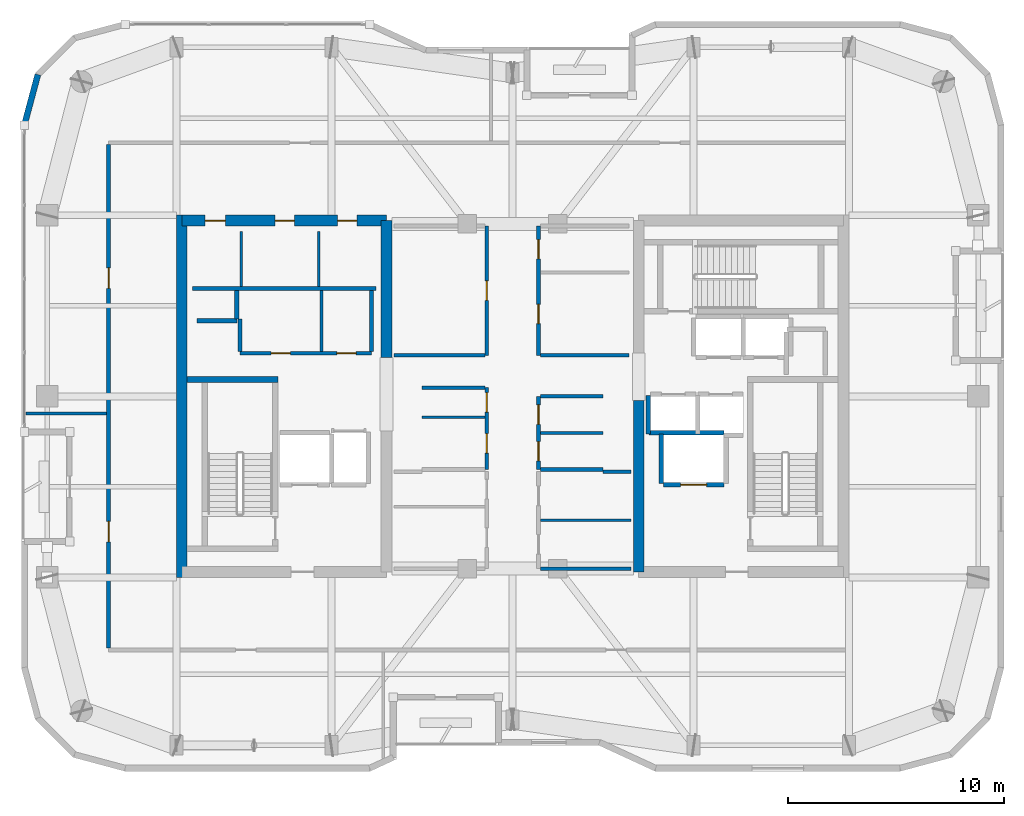
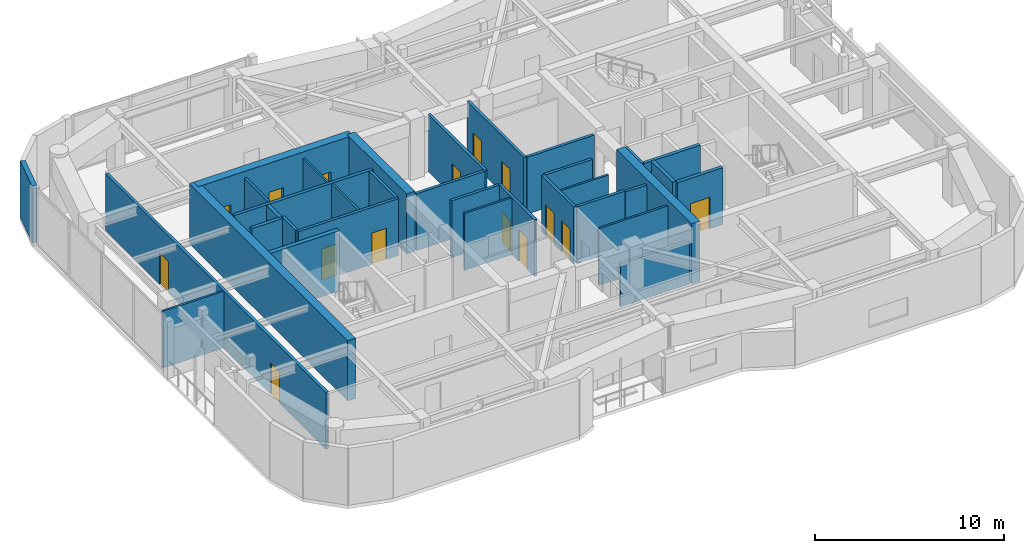
# One storey, part 11 of 15: 35 walls, 15 doors, 15 openings.
"""IFC4 building model written with IfcOpenShell, lengths in metres."""

from ifc_helpers import new_model, si_unit, direction, frame, frame_2d, origin, place, context, subcontext, project, spatial, rectangle, extrude, material, layer, layer_set, type_object, element, fill, save


model = new_model("IFC4")

# Units and contexts
model_context = context("Model", 3, precision=1e-05, world=origin(), true_north=direction((0.0, 1.0)))
body_context = subcontext(model_context, "Body", "Model", "MODEL_VIEW")
ifc_project = project(units=[si_unit("LENGTHUNIT", "METRE"), si_unit("AREAUNIT", "SQUARE_METRE"), si_unit("VOLUMEUNIT", "CUBIC_METRE"), si_unit("PLANEANGLEUNIT", "RADIAN"), si_unit("MASSUNIT", "GRAM", prefix="KILO")], contexts=[model_context])

# Site, building, storey
site_placement = place(None, origin())
site = spatial("IfcSite", under=ifc_project, at=site_placement, CompositionType="ELEMENT")
building_placement = place(site_placement, origin())
building = spatial("IfcBuilding", under=site, at=building_placement, Name="Kiyonajd Concourse Tower", CompositionType="ELEMENT")
storey_placement = place(building_placement, frame((0.0, 0.0, 290.10009765625)))
storey = spatial("IfcBuildingStorey", under=building, at=storey_placement, Name="L73", CompositionType="ELEMENT", Elevation=290.10009765625)

# Walls
ifc_material_1 = material(Name="Concrete C60/75", Category="concrete")
ifc_layer_1 = layer(ifc_material_1, 0.5)
ifc_layer_set_1 = layer_set([ifc_layer_1], Name="Concrete C60/75")
wall_type_1 = type_object("IfcWallType", Name="WL-CORE-500", PredefinedType="SHEAR", material=ifc_layer_set_1)
wall_1_placement = place(storey_placement, frame((32.64990234375, 27.60009765625, 0.0), z_axis=(0.0, 0.0, 1.0), x_axis=(0.0, 1.0, 0.0)))
element("IfcWall", 1, at=wall_1_placement, inside=storey, type_object=wall_type_1, Name="L73 West Core Outer Shear Wall", PredefinedType="SHEAR", context=body_context, shape_type="SweptSolid", body=[
    extrude(rectangle(XDim=16.7998046875, YDim=0.5, at=frame_2d((8.39990234375, 0.0))), origin(), (0.0, 0.0, 1.0), 3.89990234375),
])
wall_2_placement = place(storey_placement, frame((42.14990234375, 37.800048828125, 0.0), z_axis=(0.0, 0.0, 1.0), x_axis=(0.0, 1.0, 0.0)))
element("IfcWall", 2, at=wall_2_placement, inside=storey, type_object=wall_type_1, Name="L73 West Core Inner North Shear Wall", PredefinedType="SHEAR", context=body_context, shape_type="SweptSolid", body=[
    extrude(rectangle(XDim=6.349853515625, YDim=0.5, at=frame_2d((3.1748046875, 0.0))), origin(), (0.0, 0.0, 1.0), 3.89990234375),
])

# Wall, openings, doors
wall_3_placement = place(storey_placement, frame((32.64990234375, 44.14990234375, 0.0), z_axis=(0.0, 0.0, 1.0), x_axis=(1.0, 0.0, 0.0)))
wall_3 = element("IfcWall", 3, at=wall_3_placement, inside=storey, type_object=wall_type_1, Name="L73 West Core North Shear Wall", PredefinedType="SHEAR", context=body_context, shape_type="SweptSolid", body=[
    extrude(rectangle(XDim=9.5, YDim=0.5, at=frame_2d((4.75, 0.0))), origin(), (0.0, 0.0, 1.0), 3.89990234375),
])
opening_1_placement = place(wall_3_placement, frame((1.074951171875, 0.0, 0.0)))
opening_1 = element("IfcOpeningElement", 4, at=opening_1_placement, cuts=wall_3, Name="Opening DI1", PredefinedType="OPENING", context=body_context, shape_type="SweptSolid", body=[
    extrude(rectangle(XDim=0.949951171875, YDim=2.0400390625, at=frame_2d((0.47509765625, 1.02001953125))), frame((0.0, 0.260009765625, 0.0), z_axis=(0.0, -1.0, 0.0), x_axis=(1.0, 0.0, 0.0)), (0.0, 0.0, 1.0), 0.52001953125),
])
opening_2_placement = place(wall_3_placement, frame((4.324951171875, 0.0, 0.0)))
opening_2 = element("IfcOpeningElement", 5, at=opening_2_placement, cuts=wall_3, Name="Opening DI2", PredefinedType="OPENING", context=body_context, shape_type="SweptSolid", body=[
    extrude(rectangle(XDim=0.89990234375, YDim=2.02001953125, at=frame_2d((0.449951171875, 1.010009765625))), frame((0.0, 0.260009765625, 0.0), z_axis=(0.0, -1.0, 0.0), x_axis=(1.0, 0.0, 0.0)), (0.0, 0.0, 1.0), 0.52001953125),
])
opening_3_placement = place(wall_3_placement, frame((7.22509765625, 0.0, 0.0)))
opening_3 = element("IfcOpeningElement", 6, at=opening_3_placement, cuts=wall_3, Name="Opening DI2", PredefinedType="OPENING", context=body_context, shape_type="SweptSolid", body=[
    extrude(rectangle(XDim=0.89990234375, YDim=2.02001953125, at=frame_2d((0.449951171875, 1.010009765625))), frame((0.0, 0.260009765625, 0.0), z_axis=(0.0, -1.0, 0.0), x_axis=(1.0, 0.0, 0.0)), (0.0, 0.0, 1.0), 0.52001953125),
])
ifc_material_2 = material(Name="Natural Oak Acoustic Timber Veneer", Category="wood")
door_type_1 = type_object("IfcDoorType", Name="DR-INT-900", OperationType="NOTDEFINED", PredefinedType="DOOR", material=ifc_material_2)
door_1_placement = place(opening_2_placement, origin())
door_1 = element("IfcDoor", 7, at=door_1_placement, inside=storey, type_object=door_type_1, Name="L73 Male Restroom Door", OperationType="SINGLE_SWING_RIGHT", OverallHeight=2.02001953125, OverallWidth=0.89990234375, PredefinedType="DOOR", context=body_context, shape_type="SweptSolid", body=[
    extrude(rectangle(XDim=0.89990234375, YDim=2.02001953125, at=frame_2d((0.449951171875, 1.010009765625))), frame((0.0, 0.02490234375, 0.0), z_axis=(0.0, -1.0, 0.0), x_axis=(1.0, 0.0, 0.0)), (0.0, 0.0, 1.0), 0.050048828125),
])
fill(opening_2, door_1)
door_2_placement = place(opening_3_placement, origin())
door_2 = element("IfcDoor", 8, at=door_2_placement, inside=storey, type_object=door_type_1, Name="L73 Female Restroom Door", OperationType="SINGLE_SWING_LEFT", OverallHeight=2.02001953125, OverallWidth=0.89990234375, PredefinedType="DOOR", context=body_context, shape_type="SweptSolid", body=[
    extrude(rectangle(XDim=0.89990234375, YDim=2.02001953125, at=frame_2d((0.449951171875, 1.010009765625))), frame((0.0, 0.02490234375, 0.0), z_axis=(0.0, -1.0, 0.0), x_axis=(1.0, 0.0, 0.0)), (0.0, 0.0, 1.0), 0.050048828125),
])
fill(opening_3, door_2)
door_type_2 = type_object("IfcDoorType", Name="DR-INT-950", OperationType="NOTDEFINED", PredefinedType="DOOR", material=ifc_material_2)
door_3_placement = place(opening_1_placement, origin())
door_3 = element("IfcDoor", 9, at=door_3_placement, inside=storey, type_object=door_type_2, Name="L73 Single User Accessible WC Door", OperationType="SINGLE_SWING_LEFT", OverallHeight=2.0400390625, OverallWidth=0.949951171875, PredefinedType="DOOR", context=body_context, shape_type="SweptSolid", body=[
    extrude(rectangle(XDim=0.949951171875, YDim=2.0400390625, at=frame_2d((0.47509765625, 1.02001953125))), frame((0.0, 0.02490234375, 0.0), z_axis=(0.0, -1.0, 0.0), x_axis=(1.0, 0.0, 0.0)), (0.0, 0.0, 1.0), 0.050048828125),
])
fill(opening_1, door_3)

# Walls
wall_4_placement = place(storey_placement, frame((53.85009765625, 27.85009765625, 0.0), z_axis=(0.0, 0.0, 1.0), x_axis=(0.0, 1.0, 0.0)))
element("IfcWall", 10, at=wall_4_placement, inside=storey, type_object=wall_type_1, Name="L73 East Core Inner South Shear Wall", PredefinedType="SHEAR", context=body_context, shape_type="SweptSolid", body=[
    extrude(rectangle(XDim=7.949951171875, YDim=0.5, at=frame_2d((3.97509765625, 0.0))), origin(), (0.0, 0.0, 1.0), 3.89990234375),
])
ifc_material_3 = material(Name="Precast concrete C50/60", Category="concrete")
ifc_layer_2 = layer(ifc_material_3, 0.280029296875)
ifc_layer_set_2 = layer_set([ifc_layer_2], Name="Precast concrete C50/60")
wall_type_2 = type_object("IfcWallType", Name="WL-EXT-280", PredefinedType="SOLIDWALL", material=ifc_layer_set_2)
wall_5_placement = place(storey_placement, frame((25.340087890625, 48.58154296875, 0.0), z_axis=(0.0, 0.0, 1.0), x_axis=(0.258751159445, 0.965944013639, 0.0)))
element("IfcWall", 11, at=wall_5_placement, inside=storey, type_object=wall_type_2, Name="L73 Exterior Concrete Frame Wall 06", PredefinedType="SOLIDWALL", context=body_context, shape_type="SweptSolid", body=[
    extrude(rectangle(XDim=2.4287109375, YDim=0.280029296875, at=frame_2d((1.21435546875, 0.0))), origin(), (0.0, 0.0, 1.0), 3.679931640625),
])
ifc_material_4 = material(Name="Gypsum Board on Cold-Formed Steel Stud", Category="steel")
ifc_layer_3 = layer(ifc_material_4, 0.125)
ifc_layer_set_3 = layer_set([ifc_layer_3], Name="Gypsum Board on Cold-Formed Steel Stud")
wall_type_3 = type_object("IfcWallType", Name="WL-PART-125", PredefinedType="PARTITIONING", material=ifc_layer_set_3)
for number, where, z_axis, x_axis, name in (
    (12, (35.39990234375, 41.094970703125, 0.0), (0.0, 0.0, 1.0), (0.0, 1.0, 0.0), "L73 Interior Partition Wall"),
    (13, (39.0, 41.094970703125, 0.0), (0.0, 0.0, 1.0), (0.0, 1.0, 0.0), "L73 Interior Partition Wall"),
):
    element("IfcWall", number, at=place(storey_placement, frame(where, z_axis=z_axis, x_axis=x_axis)), inside=storey, type_object=wall_type_3, Name=name, PredefinedType="PARTITIONING", context=body_context, shape_type="SweptSolid", body=[
        extrude(rectangle(XDim=2.554931640625, YDim=0.125, at=frame_2d((1.27734375, 0.0))), origin(), (0.0, 0.0, 1.0), 3.679931640625),
    ])
wall_6_placement = place(storey_placement, frame((39.132080078125, 38.0869140625, 0.0), z_axis=(0.0, 0.0, 1.0), x_axis=(0.0, 1.0, 0.0)))
element("IfcWall", 14, at=wall_6_placement, inside=storey, type_object=wall_type_3, Name="L73 Interior Partition Wall", PredefinedType="PARTITIONING", context=body_context, shape_type="SweptSolid", body=[
    extrude(rectangle(XDim=2.81298828125, YDim=0.125, at=frame_2d((1.406494140625, 0.0))), origin(), (0.0, 0.0, 1.0), 3.679931640625),
])
for number, where, z_axis, x_axis, name in (
    (15, (43.800048828125, 35.031982421875, 0.0), (0.0, 0.0, 1.0), (1.0, 0.0, 0.0), "L73 Interior Partition Wall"),
    (16, (49.287109375, 34.300048828125, 0.0), (0.0, 0.0, 1.0), (1.0, 0.0, 0.0), "L73 Interior Partition Wall"),
):
    element("IfcWall", number, at=place(storey_placement, frame(where, z_axis=z_axis, x_axis=x_axis)), inside=storey, type_object=wall_type_3, Name=name, PredefinedType="PARTITIONING", context=body_context, shape_type="SweptSolid", body=[
        extrude(rectangle(XDim=2.912841796875, YDim=0.125, at=frame_2d((1.45654296875, 0.0))), origin(), (0.0, 0.0, 1.0), 3.679931640625),
    ])
wall_7_placement = place(storey_placement, frame((49.287109375, 30.25, 0.0), z_axis=(0.0, 0.0, 1.0), x_axis=(1.0, 0.0, 0.0)))
element("IfcWall", 17, at=wall_7_placement, inside=storey, type_object=wall_type_3, Name="L73 Interior Partition Wall", PredefinedType="PARTITIONING", context=body_context, shape_type="SweptSolid", body=[
    extrude(rectangle(XDim=4.212890625, YDim=0.125, at=frame_2d((2.1064453125, 0.0))), origin(), (0.0, 0.0, 1.0), 3.679931640625),
])
wall_8_placement = place(storey_placement, frame((25.425048828125, 35.199951171875, 0.0), z_axis=(0.0, 0.0, 1.0), x_axis=(1.0, 0.0, 0.0)))
element("IfcWall", 18, at=wall_8_placement, inside=storey, type_object=wall_type_3, Name="L73 Interior Partition Wall", PredefinedType="PARTITIONING", context=body_context, shape_type="SweptSolid", body=[
    extrude(rectangle(XDim=3.738037109375, YDim=0.125, at=frame_2d((1.869140625, 0.0))), origin(), (0.0, 0.0, 1.0), 3.679931640625),
])
ifc_layer_4 = layer(ifc_material_4, 0.18994140625)
ifc_layer_set_4 = layer_set([ifc_layer_4], Name="Gypsum Board on Cold-Formed Steel Stud")
wall_type_4 = type_object("IfcWallType", Name="WL-PLMB-190", PredefinedType="PLUMBINGWALL", material=ifc_layer_set_4)
wall_9_placement = place(storey_placement, frame((33.14990234375, 41.0, 0.0), z_axis=(0.0, 0.0, 1.0), x_axis=(1.0, 0.0, 0.0)))
element("IfcWall", 19, at=wall_9_placement, inside=storey, type_object=wall_type_4, Name="L73 Interior Partition Wall", PredefinedType="PLUMBINGWALL", context=body_context, shape_type="SweptSolid", body=[
    extrude(rectangle(XDim=8.5, YDim=0.18994140625, at=frame_2d((4.25, 0.0))), origin(), (0.0, 0.0, 1.0), 3.679931640625),
])
ifc_layer_5 = layer(ifc_material_4, 0.2099609375)
ifc_layer_set_5 = layer_set([ifc_layer_5], Name="Gypsum Board on Cold-Formed Steel Stud")
wall_type_5 = type_object("IfcWallType", Name="WL-SHAFT-210", PredefinedType="PARTITIONING", material=ifc_layer_set_5)
wall_10_placement = place(storey_placement, frame((33.360107421875, 39.5, 0.0), z_axis=(0.0, 0.0, 1.0), x_axis=(1.0, 0.0, 0.0)))
element("IfcWall", 20, at=wall_10_placement, inside=storey, type_object=wall_type_5, Name="L73 Shaft Enclosure Wall", PredefinedType="PARTITIONING", context=body_context, shape_type="SweptSolid", body=[
    extrude(rectangle(XDim=1.85986328125, YDim=0.2099609375, at=frame_2d((0.929931640625, 0.0))), origin(), (0.0, 0.0, 1.0), 3.679931640625),
])
wall_11_placement = place(storey_placement, frame((35.199951171875, 39.580078125, 0.0), z_axis=(0.0, 0.0, 1.0), x_axis=(0.0, 1.0, 0.0)))
element("IfcWall", 21, at=wall_11_placement, inside=storey, type_object=wall_type_5, Name="L73 Shaft Enclosure Wall", PredefinedType="PARTITIONING", context=body_context, shape_type="SweptSolid", body=[
    extrude(rectangle(XDim=1.31982421875, YDim=0.2099609375, at=frame_2d((0.659912109375, 0.0))), origin(), (0.0, 0.0, 1.0), 3.679931640625),
])

# Wall, opening, door
wall_12_placement = place(storey_placement, frame((55.0, 31.89990234375, 0.0), z_axis=(0.0, 0.0, 1.0), x_axis=(1.0, 0.0, 0.0)))
wall_12 = element("IfcWall", 22, at=wall_12_placement, inside=storey, type_object=wall_type_5, Name="L73 Shaft Enclosure Wall", PredefinedType="PARTITIONING", context=body_context, shape_type="SweptSolid", body=[
    extrude(rectangle(XDim=2.800048828125, YDim=0.2099609375, at=frame_2d((1.39990234375, 0.0))), origin(), (0.0, 0.0, 1.0), 3.679931640625),
])
opening_4_placement = place(wall_12_placement, frame((0.800048828125, 0.0, 0.0)))
opening_4 = element("IfcOpeningElement", 23, at=opening_4_placement, cuts=wall_12, Name="Opening LD2", PredefinedType="OPENING", context=body_context, shape_type="SweptSolid", body=[
    extrude(rectangle(XDim=1.199951171875, YDim=2.0400390625, at=frame_2d((0.60009765625, 1.02001953125))), frame((0.0, 0.114990234375, 0.0), z_axis=(0.0, -1.0, 0.0), x_axis=(1.0, 0.0, 0.0)), (0.0, 0.0, 1.0), 0.22998046875),
])
ifc_material_5 = material(Name="Brushed Stainless Steel Cab Assembly", Category="steel")
door_type_3 = type_object("IfcDoorType", Name="DR-LD-1200", OperationType="DOUBLE_DOOR_SLIDING", PredefinedType="DOOR", material=ifc_material_5)
door_4_placement = place(opening_4_placement, origin())
door_4 = element("IfcDoor", 24, at=door_4_placement, inside=storey, type_object=door_type_3, Name="L73 Lift FFL2 Sliding Landing Door", OperationType="DOUBLE_DOOR_SLIDING", OverallHeight=2.0400390625, OverallWidth=1.199951171875, PredefinedType="DOOR", context=body_context, shape_type="SweptSolid", body=[
    extrude(rectangle(XDim=1.199951171875, YDim=2.0400390625, at=frame_2d((0.60009765625, 1.02001953125))), frame((0.0, 0.02490234375, 0.0), z_axis=(0.0, -1.0, 0.0), x_axis=(1.0, 0.0, 0.0)), (0.0, 0.0, 1.0), 0.050048828125),
])
fill(opening_4, door_4)

# Walls
wall_13_placement = place(storey_placement, frame((54.320068359375, 34.300048828125, 0.0), z_axis=(0.0, 0.0, 1.0), x_axis=(1.0, 0.0, 0.0)))
element("IfcWall", 25, at=wall_13_placement, inside=storey, type_object=wall_type_5, Name="L73 Shaft Enclosure Wall", PredefinedType="PARTITIONING", context=body_context, shape_type="SweptSolid", body=[
    extrude(rectangle(XDim=3.47998046875, YDim=0.2099609375, at=frame_2d((1.739990234375, 0.0))), origin(), (0.0, 0.0, 1.0), 3.679931640625),
])
wall_14_placement = place(storey_placement, frame((54.89990234375, 31.9599609375, 0.0), z_axis=(0.0, 0.0, 1.0), x_axis=(0.0, 1.0, 0.0)))
element("IfcWall", 26, at=wall_14_placement, inside=storey, type_object=wall_type_5, Name="L73 Shaft Enclosure Wall", PredefinedType="PARTITIONING", context=body_context, shape_type="SweptSolid", body=[
    extrude(rectangle(XDim=2.280029296875, YDim=0.2099609375, at=frame_2d((1.14013671875, 0.0))), origin(), (0.0, 0.0, 1.0), 3.679931640625),
])
wall_15_placement = place(storey_placement, frame((54.300048828125, 34.260009765625, 0.0), z_axis=(0.0, 0.0, 1.0), x_axis=(0.0, 1.0, 0.0)))
element("IfcWall", 27, at=wall_15_placement, inside=storey, type_object=wall_type_5, Name="L73 Shaft Enclosure Wall", PredefinedType="PARTITIONING", context=body_context, shape_type="SweptSolid", body=[
    extrude(rectangle(XDim=1.780029296875, YDim=0.2099609375, at=frame_2d((0.89013671875, 0.0))), origin(), (0.0, 0.0, 1.0), 3.679931640625),
])

# Wall, openings, doors
ifc_layer_6 = layer(ifc_material_4, 0.169921875)
ifc_layer_set_6 = layer_set([ifc_layer_6], Name="Gypsum Board on Cold-Formed Steel Stud")
wall_type_6 = type_object("IfcWallType", Name="WL-SMK-170", PredefinedType="PARTITIONING", material=ifc_layer_set_6)
wall_16_placement = place(storey_placement, frame((35.35009765625, 38.0, 0.0), z_axis=(0.0, 0.0, 1.0), x_axis=(1.0, 0.0, 0.0)))
wall_16 = element("IfcWall", 28, at=wall_16_placement, inside=storey, type_object=wall_type_6, Name="L73 Interior Partition Wall", PredefinedType="PARTITIONING", context=body_context, shape_type="SweptSolid", body=[
    extrude(rectangle(XDim=6.099853515625, YDim=0.169921875, at=frame_2d((3.0498046875, 0.0))), origin(), (0.0, 0.0, 1.0), 3.679931640625),
])
opening_5_placement = place(wall_16_placement, frame((1.44091796875, 0.0, 0.0)))
opening_5 = element("IfcOpeningElement", 29, at=opening_5_placement, cuts=wall_16, Name="Opening DF4", PredefinedType="OPENING", context=body_context, shape_type="SweptSolid", body=[
    extrude(rectangle(XDim=0.89990234375, YDim=2.02001953125, at=frame_2d((0.449951171875, 1.010009765625))), frame((0.0, 0.094970703125, 0.0), z_axis=(0.0, -1.0, 0.0), x_axis=(1.0, 0.0, 0.0)), (0.0, 0.0, 1.0), 0.18994140625),
])
opening_6_placement = place(wall_16_placement, frame((4.490966796875, 0.0, 0.0)))
opening_6 = element("IfcOpeningElement", 30, at=opening_6_placement, cuts=wall_16, Name="Opening DF4", PredefinedType="OPENING", context=body_context, shape_type="SweptSolid", body=[
    extrude(rectangle(XDim=0.89990234375, YDim=2.02001953125, at=frame_2d((0.449951171875, 1.010009765625))), frame((0.0, 0.094970703125, 0.0), z_axis=(0.0, -1.0, 0.0), x_axis=(1.0, 0.0, 0.0)), (0.0, 0.0, 1.0), 0.18994140625),
])
door_type_4 = type_object("IfcDoorType", Name="DR-FD60-900", OperationType="NOTDEFINED", PredefinedType="DOOR", material=ifc_material_5)
door_5_placement = place(opening_5_placement, origin())
door_5 = element("IfcDoor", 31, at=door_5_placement, inside=storey, type_object=door_type_4, Name="L73 Interior Door", OperationType="SINGLE_SWING_RIGHT", OverallHeight=2.02001953125, OverallWidth=0.89990234375, PredefinedType="DOOR", context=body_context, shape_type="SweptSolid", body=[
    extrude(rectangle(XDim=0.89990234375, YDim=2.02001953125, at=frame_2d((0.449951171875, 1.010009765625))), frame((0.0, 0.02490234375, 0.0), z_axis=(0.0, -1.0, 0.0), x_axis=(1.0, 0.0, 0.0)), (0.0, 0.0, 1.0), 0.050048828125),
])
fill(opening_5, door_5)
door_6_placement = place(opening_6_placement, origin())
door_6 = element("IfcDoor", 32, at=door_6_placement, inside=storey, type_object=door_type_4, Name="L73 Interior Door", OperationType="SINGLE_SWING_LEFT", OverallHeight=2.02001953125, OverallWidth=0.89990234375, PredefinedType="DOOR", context=body_context, shape_type="SweptSolid", body=[
    extrude(rectangle(XDim=0.89990234375, YDim=2.02001953125, at=frame_2d((0.449951171875, 1.010009765625))), frame((0.0, 0.02490234375, 0.0), z_axis=(0.0, -1.0, 0.0), x_axis=(1.0, 0.0, 0.0)), (0.0, 0.0, 1.0), 0.050048828125),
])
fill(opening_6, door_6)

# Walls
wall_17_placement = place(storey_placement, frame((35.35009765625, 38.0869140625, 0.0), z_axis=(0.0, 0.0, 1.0), x_axis=(0.0, 1.0, 0.0)))
element("IfcWall", 33, at=wall_17_placement, inside=storey, type_object=wall_type_6, Name="L73 Interior Partition Wall", PredefinedType="PARTITIONING", context=body_context, shape_type="SweptSolid", body=[
    extrude(rectangle(XDim=1.4931640625, YDim=0.169921875, at=frame_2d((0.74658203125, 0.0))), origin(), (0.0, 0.0, 1.0), 3.679931640625),
])
wall_18_placement = place(storey_placement, frame((41.449951171875, 38.0869140625, 0.0), z_axis=(0.0, 0.0, 1.0), x_axis=(0.0, 1.0, 0.0)))
element("IfcWall", 34, at=wall_18_placement, inside=storey, type_object=wall_type_6, Name="L73 Interior Partition Wall", PredefinedType="PARTITIONING", context=body_context, shape_type="SweptSolid", body=[
    extrude(rectangle(XDim=2.81298828125, YDim=0.169921875, at=frame_2d((1.406494140625, 0.0))), origin(), (0.0, 0.0, 1.0), 3.679931640625),
])

# Wall, openings, doors
wall_19_placement = place(storey_placement, frame((46.800048828125, 32.60009765625, 0.0), z_axis=(0.0, 0.0, 1.0), x_axis=(0.0, 1.0, 0.0)))
wall_19 = element("IfcWall", 35, at=wall_19_placement, inside=storey, type_object=wall_type_6, Name="L73 Interior Partition Wall", PredefinedType="PARTITIONING", context=body_context, shape_type="SweptSolid", body=[
    extrude(rectangle(XDim=3.7998046875, YDim=0.169921875, at=frame_2d((1.89990234375, 0.0))), origin(), (0.0, 0.0, 1.0), 3.679931640625),
])
opening_7_placement = place(wall_19_placement, frame((0.76611328125, 0.0, 0.0)))
opening_7 = element("IfcOpeningElement", 36, at=opening_7_placement, cuts=wall_19, Name="Opening DF4", PredefinedType="OPENING", context=body_context, shape_type="SweptSolid", body=[
    extrude(rectangle(XDim=0.89990234375, YDim=2.02001953125, at=frame_2d((0.449951171875, 1.010009765625))), frame((0.0, 0.094970703125, 0.0), z_axis=(0.0, -1.0, 0.0), x_axis=(1.0, 0.0, 0.0)), (0.0, 0.0, 1.0), 0.18994140625),
])
opening_8_placement = place(wall_19_placement, frame((2.666015625, 0.0, 0.0)))
opening_8 = element("IfcOpeningElement", 37, at=opening_8_placement, cuts=wall_19, Name="Opening DF4", PredefinedType="OPENING", context=body_context, shape_type="SweptSolid", body=[
    extrude(rectangle(XDim=0.89990234375, YDim=2.02001953125, at=frame_2d((0.449951171875, 1.010009765625))), frame((0.0, 0.094970703125, 0.0), z_axis=(0.0, -1.0, 0.0), x_axis=(1.0, 0.0, 0.0)), (0.0, 0.0, 1.0), 0.18994140625),
])
door_7_placement = place(opening_7_placement, origin())
door_7 = element("IfcDoor", 38, at=door_7_placement, inside=storey, type_object=door_type_4, Name="L73 Interior Door", OperationType="SINGLE_SWING_RIGHT", OverallHeight=2.02001953125, OverallWidth=0.89990234375, PredefinedType="DOOR", context=body_context, shape_type="SweptSolid", body=[
    extrude(rectangle(XDim=0.89990234375, YDim=2.02001953125, at=frame_2d((0.449951171875, 1.010009765625))), frame((0.0, 0.02490234375, 0.0), z_axis=(0.0, -1.0, 0.0), x_axis=(1.0, 0.0, 0.0)), (0.0, 0.0, 1.0), 0.050048828125),
])
fill(opening_7, door_7)
door_8_placement = place(opening_8_placement, origin())
door_8 = element("IfcDoor", 39, at=door_8_placement, inside=storey, type_object=door_type_4, Name="L73 Interior Door", OperationType="SINGLE_SWING_LEFT", OverallHeight=2.02001953125, OverallWidth=0.89990234375, PredefinedType="DOOR", context=body_context, shape_type="SweptSolid", body=[
    extrude(rectangle(XDim=0.89990234375, YDim=2.02001953125, at=frame_2d((0.449951171875, 1.010009765625))), frame((0.0, 0.02490234375, 0.0), z_axis=(0.0, -1.0, 0.0), x_axis=(1.0, 0.0, 0.0)), (0.0, 0.0, 1.0), 0.050048828125),
])
fill(opening_8, door_8)

# Wall
wall_20_placement = place(storey_placement, frame((43.800048828125, 36.39990234375, 0.0), z_axis=(0.0, 0.0, 1.0), x_axis=(1.0, 0.0, 0.0)))
element("IfcWall", 40, at=wall_20_placement, inside=storey, type_object=wall_type_6, Name="L73 Interior Partition Wall", PredefinedType="PARTITIONING", context=body_context, shape_type="SweptSolid", body=[
    extrude(rectangle(XDim=2.912841796875, YDim=0.169921875, at=frame_2d((1.45654296875, 0.0))), origin(), (0.0, 0.0, 1.0), 3.679931640625),
])

# Wall, openings, doors
wall_21_placement = place(storey_placement, frame((49.199951171875, 32.60009765625, 0.0), z_axis=(0.0, 0.0, 1.0), x_axis=(0.0, 1.0, 0.0)))
wall_21 = element("IfcWall", 41, at=wall_21_placement, inside=storey, type_object=wall_type_6, Name="L73 Interior Partition Wall", PredefinedType="PARTITIONING", context=body_context, shape_type="SweptSolid", body=[
    extrude(rectangle(XDim=3.39990234375, YDim=0.169921875, at=frame_2d((1.699951171875, 0.0))), origin(), (0.0, 0.0, 1.0), 3.679931640625),
])
opening_9_placement = place(wall_21_placement, frame((0.39990234375, 0.0, 0.0)))
opening_9 = element("IfcOpeningElement", 42, at=opening_9_placement, cuts=wall_21, Name="Opening DI2", PredefinedType="OPENING", context=body_context, shape_type="SweptSolid", body=[
    extrude(rectangle(XDim=0.89990234375, YDim=2.02001953125, at=frame_2d((0.449951171875, 1.010009765625))), frame((0.0, 0.094970703125, 0.0), z_axis=(0.0, -1.0, 0.0), x_axis=(1.0, 0.0, 0.0)), (0.0, 0.0, 1.0), 0.18994140625),
])
opening_10_placement = place(wall_21_placement, frame((2.10009765625, 0.0, 0.0)))
opening_10 = element("IfcOpeningElement", 43, at=opening_10_placement, cuts=wall_21, Name="Opening DI2", PredefinedType="OPENING", context=body_context, shape_type="SweptSolid", body=[
    extrude(rectangle(XDim=0.89990234375, YDim=2.02001953125, at=frame_2d((0.449951171875, 1.010009765625))), frame((0.0, 0.094970703125, 0.0), z_axis=(0.0, -1.0, 0.0), x_axis=(1.0, 0.0, 0.0)), (0.0, 0.0, 1.0), 0.18994140625),
])
door_9_placement = place(opening_9_placement, origin())
door_9 = element("IfcDoor", 44, at=door_9_placement, inside=storey, type_object=door_type_1, Name="L73 Interior Door", OperationType="SINGLE_SWING_RIGHT", OverallHeight=2.02001953125, OverallWidth=0.89990234375, PredefinedType="DOOR", context=body_context, shape_type="SweptSolid", body=[
    extrude(rectangle(XDim=0.89990234375, YDim=2.02001953125, at=frame_2d((0.449951171875, 1.010009765625))), frame((0.0, 0.02490234375, 0.0), z_axis=(0.0, -1.0, 0.0), x_axis=(1.0, 0.0, 0.0)), (0.0, 0.0, 1.0), 0.050048828125),
])
fill(opening_9, door_9)
door_10_placement = place(opening_10_placement, origin())
door_10 = element("IfcDoor", 45, at=door_10_placement, inside=storey, type_object=door_type_1, Name="L73 Interior Door", OperationType="SINGLE_SWING_LEFT", OverallHeight=2.02001953125, OverallWidth=0.89990234375, PredefinedType="DOOR", context=body_context, shape_type="SweptSolid", body=[
    extrude(rectangle(XDim=0.89990234375, YDim=2.02001953125, at=frame_2d((0.449951171875, 1.010009765625))), frame((0.0, 0.02490234375, 0.0), z_axis=(0.0, -1.0, 0.0), x_axis=(1.0, 0.0, 0.0)), (0.0, 0.0, 1.0), 0.050048828125),
])
fill(opening_10, door_10)

# Walls
for number, where, z_axis, x_axis, name in (
    (46, (49.287109375, 32.60009765625, 0.0), (0.0, 0.0, 1.0), (1.0, 0.0, 0.0), "L73 Interior Partition Wall"),
    (47, (49.287109375, 36.0, 0.0), (0.0, 0.0, 1.0), (1.0, 0.0, 0.0), "L73 Interior Partition Wall"),
):
    element("IfcWall", number, at=place(storey_placement, frame(where, z_axis=z_axis, x_axis=x_axis)), inside=storey, type_object=wall_type_6, Name=name, PredefinedType="PARTITIONING", context=body_context, shape_type="SweptSolid", body=[
        extrude(rectangle(XDim=2.912841796875, YDim=0.169921875, at=frame_2d((1.45654296875, 0.0))), origin(), (0.0, 0.0, 1.0), 3.679931640625),
    ])
wall_22_placement = place(storey_placement, frame((49.287109375, 28.0, 0.0), z_axis=(0.0, 0.0, 1.0), x_axis=(1.0, 0.0, 0.0)))
element("IfcWall", 48, at=wall_22_placement, inside=storey, type_object=wall_type_6, Name="L73 Interior Partition Wall", PredefinedType="PARTITIONING", context=body_context, shape_type="SweptSolid", body=[
    extrude(rectangle(XDim=4.212890625, YDim=0.169921875, at=frame_2d((2.1064453125, 0.0))), origin(), (0.0, 0.0, 1.0), 2.764892578125),
])
wall_23_placement = place(storey_placement, frame((52.199951171875, 32.5, 0.0), z_axis=(0.0, 0.0, 1.0), x_axis=(1.0, 0.0, 0.0)))
element("IfcWall", 49, at=wall_23_placement, inside=storey, type_object=wall_type_6, Name="L73 Interior Partition Wall", PredefinedType="PARTITIONING", context=body_context, shape_type="SweptSolid", body=[
    extrude(rectangle(XDim=1.300048828125, YDim=0.169921875, at=frame_2d((0.64990234375, 0.0))), origin(), (0.0, 0.0, 1.0), 3.679931640625),
])

# Wall, opening, door
wall_24_placement = place(storey_placement, frame((46.800048828125, 37.89990234375, 0.0), z_axis=(0.0, 0.0, 1.0), x_axis=(0.0, 1.0, 0.0)))
wall_24 = element("IfcWall", 50, at=wall_24_placement, inside=storey, type_object=wall_type_6, Name="L73 Interior Partition Wall", PredefinedType="PARTITIONING", context=body_context, shape_type="SweptSolid", body=[
    extrude(rectangle(XDim=6.0, YDim=0.169921875, at=frame_2d((3.0, 0.0))), origin(), (0.0, 0.0, 1.0), 3.679931640625),
])
opening_11_placement = place(wall_24_placement, frame((2.550048828125, 0.0, 0.0)))
opening_11 = element("IfcOpeningElement", 51, at=opening_11_placement, cuts=wall_24, Name="Opening DI2", PredefinedType="OPENING", context=body_context, shape_type="SweptSolid", body=[
    extrude(rectangle(XDim=0.89990234375, YDim=2.02001953125, at=frame_2d((0.449951171875, 1.010009765625))), frame((0.0, 0.094970703125, 0.0), z_axis=(0.0, -1.0, 0.0), x_axis=(1.0, 0.0, 0.0)), (0.0, 0.0, 1.0), 0.18994140625),
])
door_11_placement = place(opening_11_placement, origin())
door_11 = element("IfcDoor", 52, at=door_11_placement, inside=storey, type_object=door_type_1, Name="L73 Interior Door", OperationType="SINGLE_SWING_RIGHT", OverallHeight=2.02001953125, OverallWidth=0.89990234375, PredefinedType="DOOR", context=body_context, shape_type="SweptSolid", body=[
    extrude(rectangle(XDim=0.89990234375, YDim=2.02001953125, at=frame_2d((0.449951171875, 1.010009765625))), frame((0.0, 0.02490234375, 0.0), z_axis=(0.0, -1.0, 0.0), x_axis=(1.0, 0.0, 0.0)), (0.0, 0.0, 1.0), 0.050048828125),
])
fill(opening_11, door_11)

# Wall
wall_25_placement = place(storey_placement, frame((42.5, 37.89990234375, 0.0), z_axis=(0.0, 0.0, 1.0), x_axis=(1.0, 0.0, 0.0)))
element("IfcWall", 53, at=wall_25_placement, inside=storey, type_object=wall_type_6, Name="L73 Interior Partition Wall", PredefinedType="PARTITIONING", context=body_context, shape_type="SweptSolid", body=[
    extrude(rectangle(XDim=4.212890625, YDim=0.169921875, at=frame_2d((2.1064453125, 0.0))), origin(), (0.0, 0.0, 1.0), 3.679931640625),
])

# Wall, openings, doors
wall_26_placement = place(storey_placement, frame((49.199951171875, 37.89990234375, 0.0), z_axis=(0.0, 0.0, 1.0), x_axis=(0.0, 1.0, 0.0)))
wall_26 = element("IfcWall", 54, at=wall_26_placement, inside=storey, type_object=wall_type_6, Name="L73 Interior Partition Wall", PredefinedType="PARTITIONING", context=body_context, shape_type="SweptSolid", body=[
    extrude(rectangle(XDim=6.0, YDim=0.169921875, at=frame_2d((3.0, 0.0))), origin(), (0.0, 0.0, 1.0), 3.679931640625),
])
opening_12_placement = place(wall_26_placement, frame((1.469970703125, 0.0, 0.0)))
opening_12 = element("IfcOpeningElement", 55, at=opening_12_placement, cuts=wall_26, Name="Opening DF4", PredefinedType="OPENING", context=body_context, shape_type="SweptSolid", body=[
    extrude(rectangle(XDim=0.89990234375, YDim=2.02001953125, at=frame_2d((0.449951171875, 1.010009765625))), frame((0.0, 0.094970703125, 0.0), z_axis=(0.0, -1.0, 0.0), x_axis=(1.0, 0.0, 0.0)), (0.0, 0.0, 1.0), 0.18994140625),
])
opening_13_placement = place(wall_26_placement, frame((4.469970703125, 0.0, 0.0)))
opening_13 = element("IfcOpeningElement", 56, at=opening_13_placement, cuts=wall_26, Name="Opening DF4", PredefinedType="OPENING", context=body_context, shape_type="SweptSolid", body=[
    extrude(rectangle(XDim=0.89990234375, YDim=2.02001953125, at=frame_2d((0.449951171875, 1.010009765625))), frame((0.0, 0.094970703125, 0.0), z_axis=(0.0, -1.0, 0.0), x_axis=(1.0, 0.0, 0.0)), (0.0, 0.0, 1.0), 0.18994140625),
])
door_12_placement = place(opening_12_placement, origin())
door_12 = element("IfcDoor", 57, at=door_12_placement, inside=storey, type_object=door_type_4, Name="L73 Interior Door", OperationType="SINGLE_SWING_LEFT", OverallHeight=2.02001953125, OverallWidth=0.89990234375, PredefinedType="DOOR", context=body_context, shape_type="SweptSolid", body=[
    extrude(rectangle(XDim=0.89990234375, YDim=2.02001953125, at=frame_2d((0.449951171875, 1.010009765625))), frame((0.0, 0.02490234375, 0.0), z_axis=(0.0, -1.0, 0.0), x_axis=(1.0, 0.0, 0.0)), (0.0, 0.0, 1.0), 0.050048828125),
])
fill(opening_12, door_12)
door_13_placement = place(opening_13_placement, origin())
door_13 = element("IfcDoor", 58, at=door_13_placement, inside=storey, type_object=door_type_4, Name="L73 Interior Door", OperationType="SINGLE_SWING_RIGHT", OverallHeight=2.02001953125, OverallWidth=0.89990234375, PredefinedType="DOOR", context=body_context, shape_type="SweptSolid", body=[
    extrude(rectangle(XDim=0.89990234375, YDim=2.02001953125, at=frame_2d((0.449951171875, 1.010009765625))), frame((0.0, 0.02490234375, 0.0), z_axis=(0.0, -1.0, 0.0), x_axis=(1.0, 0.0, 0.0)), (0.0, 0.0, 1.0), 0.050048828125),
])
fill(opening_13, door_13)

# Wall
wall_27_placement = place(storey_placement, frame((49.287109375, 37.89990234375, 0.0), z_axis=(0.0, 0.0, 1.0), x_axis=(1.0, 0.0, 0.0)))
element("IfcWall", 59, at=wall_27_placement, inside=storey, type_object=wall_type_6, Name="L73 Interior Partition Wall", PredefinedType="PARTITIONING", context=body_context, shape_type="SweptSolid", body=[
    extrude(rectangle(XDim=4.11279296875, YDim=0.169921875, at=frame_2d((2.056396484375, 0.0))), origin(), (0.0, 0.0, 1.0), 3.679931640625),
])

# Wall, openings, doors
wall_28_placement = place(storey_placement, frame((29.25, 24.31689453125, 0.0), z_axis=(0.0, 0.0, 1.0), x_axis=(0.0, 1.0, 0.0)))
wall_28 = element("IfcWall", 60, at=wall_28_placement, inside=storey, type_object=wall_type_6, Name="L73 Interior Partition Wall", PredefinedType="PARTITIONING", context=body_context, shape_type="SweptSolid", body=[
    extrude(rectangle(XDim=23.3662109375, YDim=0.169921875, at=frame_2d((11.68310546875, 0.0))), origin(), (0.0, 0.0, 1.0), 3.679931640625),
])
opening_14_placement = place(wall_28_placement, frame((4.923095703125, 0.0, 0.0)))
opening_14 = element("IfcOpeningElement", 61, at=opening_14_placement, cuts=wall_28, Name="Opening DI1", PredefinedType="OPENING", context=body_context, shape_type="SweptSolid", body=[
    extrude(rectangle(XDim=0.949951171875, YDim=2.0400390625, at=frame_2d((0.47509765625, 1.02001953125))), frame((0.0, 0.094970703125, 0.0), z_axis=(0.0, -1.0, 0.0), x_axis=(1.0, 0.0, 0.0)), (0.0, 0.0, 1.0), 0.18994140625),
])
opening_15_placement = place(wall_28_placement, frame((16.693115234375, 0.0, 0.0)))
opening_15 = element("IfcOpeningElement", 62, at=opening_15_placement, cuts=wall_28, Name="Opening DI1", PredefinedType="OPENING", context=body_context, shape_type="SweptSolid", body=[
    extrude(rectangle(XDim=0.949951171875, YDim=2.0400390625, at=frame_2d((0.47509765625, 1.02001953125))), frame((0.0, 0.094970703125, 0.0), z_axis=(0.0, -1.0, 0.0), x_axis=(1.0, 0.0, 0.0)), (0.0, 0.0, 1.0), 0.18994140625),
])
door_14_placement = place(opening_14_placement, origin())
door_14 = element("IfcDoor", 63, at=door_14_placement, inside=storey, type_object=door_type_2, Name="L73 Interior Door", OperationType="SINGLE_SWING_LEFT", OverallHeight=2.0400390625, OverallWidth=0.949951171875, PredefinedType="DOOR", context=body_context, shape_type="SweptSolid", body=[
    extrude(rectangle(XDim=0.949951171875, YDim=2.0400390625, at=frame_2d((0.47509765625, 1.02001953125))), frame((0.0, 0.02490234375, 0.0), z_axis=(0.0, -1.0, 0.0), x_axis=(1.0, 0.0, 0.0)), (0.0, 0.0, 1.0), 0.050048828125),
])
fill(opening_14, door_14)
door_15_placement = place(opening_15_placement, origin())
door_15 = element("IfcDoor", 64, at=door_15_placement, inside=storey, type_object=door_type_2, Name="L73 Interior Door", OperationType="SINGLE_SWING_RIGHT", OverallHeight=2.0400390625, OverallWidth=0.949951171875, PredefinedType="DOOR", context=body_context, shape_type="SweptSolid", body=[
    extrude(rectangle(XDim=0.949951171875, YDim=2.0400390625, at=frame_2d((0.47509765625, 1.02001953125))), frame((0.0, 0.02490234375, 0.0), z_axis=(0.0, -1.0, 0.0), x_axis=(1.0, 0.0, 0.0)), (0.0, 0.0, 1.0), 0.050048828125),
])
fill(opening_15, door_15)

# Wall
ifc_material_6 = material(Name="Concrete C50/60", Category="concrete")
ifc_layer_7 = layer(ifc_material_6, 0.260009765625)
ifc_layer_set_7 = layer_set([ifc_layer_7], Name="Concrete C50/60")
wall_type_7 = type_object("IfcWallType", Name="WL-STAIR-260", PredefinedType="SHEAR", material=ifc_layer_set_7)
wall_29_placement = place(storey_placement, frame((32.89990234375, 36.780029296875, 0.0), z_axis=(0.0, 0.0, 1.0), x_axis=(1.0, 0.0, 0.0)))
element("IfcWall", 65, at=wall_29_placement, inside=storey, type_object=wall_type_7, Name="L73 Stair ST1 Structural North Wall", PredefinedType="SHEAR", context=body_context, shape_type="SweptSolid", body=[
    extrude(rectangle(XDim=4.210205078125, YDim=0.260009765625, at=frame_2d((2.10498046875, 0.0))), origin(), (0.0, 0.0, 1.0), 3.89990234375),
])

save(model, "model.ifc")
